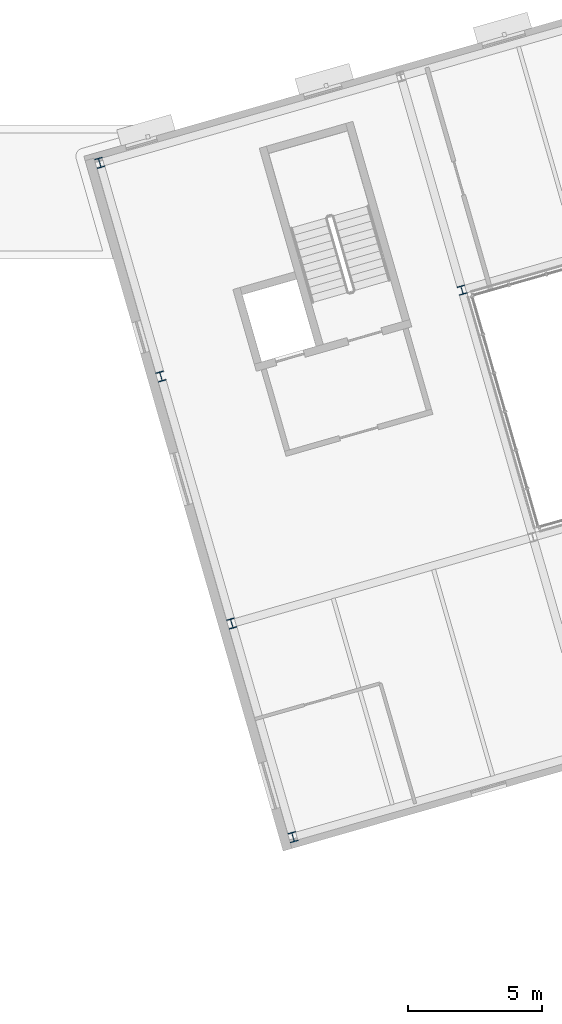
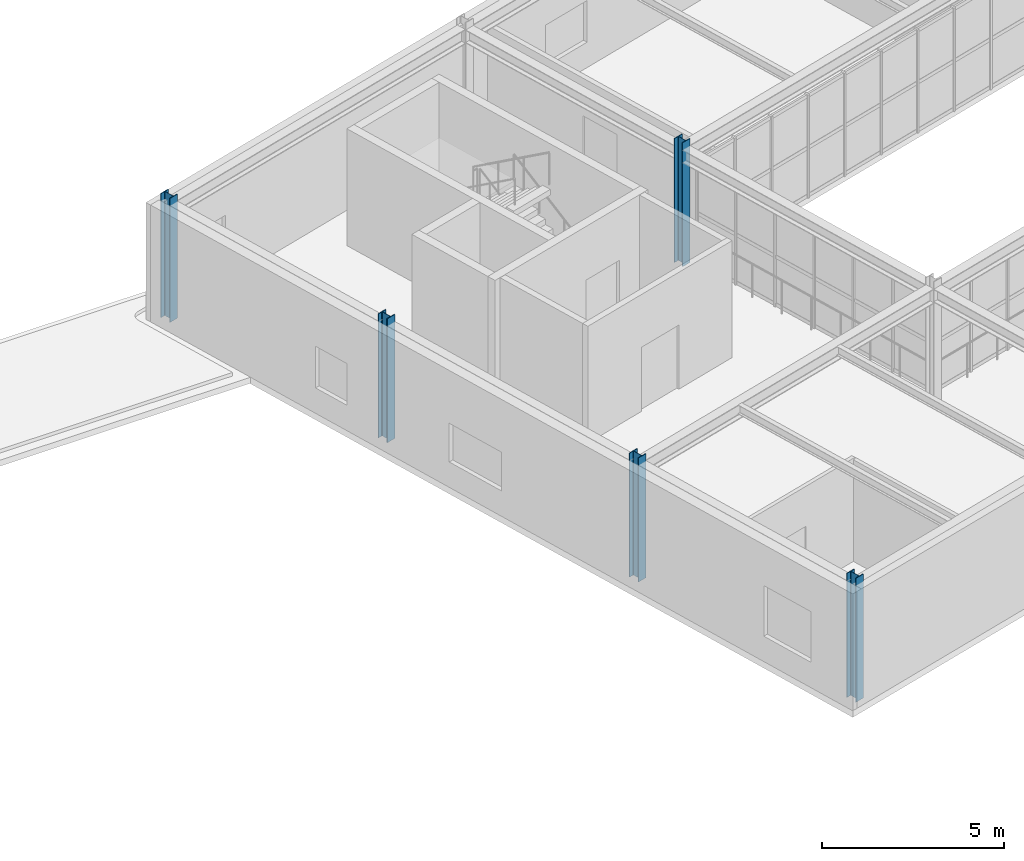
# One storey, part 4 of 59: 5 columns.
"""IFC4 building model written with IfcOpenShell, lengths in metres."""

from ifc_helpers import new_model, si_unit, direction, frame, origin, origin_2d, place, context, subcontext, project, spatial, i_section, extrude, material, material_profile, profile_set, type_object, element, save


model = new_model("IFC4")

# Units and contexts
model_context = context("Model", 3, precision=1e-05, world=origin(), true_north=direction((0.0, 1.0)))
body_context = subcontext(model_context, "Body", "Model", "MODEL_VIEW")
ifc_project = project(units=[si_unit("LENGTHUNIT", "METRE"), si_unit("AREAUNIT", "SQUARE_METRE"), si_unit("VOLUMEUNIT", "CUBIC_METRE"), si_unit("PLANEANGLEUNIT", "RADIAN"), si_unit("MASSUNIT", "GRAM", prefix="KILO")], contexts=[model_context])

# Site, building, storey
site_placement = place(None, origin())
site = spatial("IfcSite", under=ifc_project, at=site_placement, CompositionType="ELEMENT")
building_placement = place(site_placement, origin())
building = spatial("IfcBuilding", under=site, at=building_placement, Name="Varnklinge Art Gallery", CompositionType="ELEMENT")
storey_placement = place(building_placement, frame((0.0, 0.0, 9.52001953125)))
storey = spatial("IfcBuildingStorey", under=building, at=storey_placement, Name="L02", CompositionType="ELEMENT", Elevation=9.52001953125)

# Columns
ifc_material_1 = material(Name="Steel S355", Category="steel")
ifc_material_profile_1 = material_profile(ifc_material_1, i_section(OverallWidth=0.300048828125, OverallDepth=0.320068359375, WebThickness=0.011474609375, FlangeThickness=0.0205078125, FilletRadius=0.027099609375, at=origin_2d()), Name="HEB 320")
ifc_profile_set_1 = profile_set([ifc_material_profile_1], Name="Steel S355")
column_type_1 = type_object("IfcColumnType", Name="COL-09", PredefinedType="COLUMN", material=ifc_profile_set_1)
column_placement = place(storey_placement, frame((131.140380859375, 30.23974609375, 0.0), z_axis=(0.0, 0.0, 1.0), x_axis=(0.961261695938, 0.275637355817, 0.0)))
element("IfcColumn", 1, at=column_placement, inside=storey, type_object=column_type_1, Name="L02 Column V6C-2-3", PredefinedType="COLUMN", context=body_context, shape_type="SweptSolid", body=[
    extrude(i_section(OverallWidth=0.300048828125, OverallDepth=0.320068359375, WebThickness=0.011474609375, FlangeThickness=0.0205078125, FilletRadius=0.027099609375, at=origin_2d()), origin(), (0.0, 0.0, 1.0), 4.159912109375),
])
ifc_material_2 = material(Name="Steel S355", Category="steel")
ifc_material_profile_2 = material_profile(ifc_material_2, i_section(OverallWidth=0.300048828125, OverallDepth=0.360107421875, WebThickness=0.012451171875, FlangeThickness=0.0224609375, FilletRadius=0.027099609375, at=origin_2d()), Name="HEB 360")
ifc_profile_set_2 = profile_set([ifc_material_profile_2], Name="Steel S355")
column_type_2 = type_object("IfcColumnType", Name="COL-E4", PredefinedType="COLUMN", material=ifc_profile_set_2)
for number, where, z_axis, x_axis, name in (
    (2, (124.827392578125, 9.80810546875, 0.0), (0.0, 0.0, 1.0), (0.961261695938, 0.275637355817, 0.0), "L02 Column V6C-1-1"),
    (3, (122.539794921875, 17.78662109375, 0.0), (0.0, 0.0, 1.0), (0.961261695938, 0.275637355817, 0.0), "L02 Column V6C-1-2"),
    (4, (119.8935546875, 27.014892578125, 0.0), (0.0, 0.0, 1.0), (0.961261695938, 0.275637355817, 0.0), "L02 Column V6C-1-3"),
    (5, (117.605712890625, 34.9931640625, 0.0), (0.0, 0.0, 1.0), (0.961261695938, 0.275637355817, 0.0), "L02 Column V6C-1-4"),
):
    element("IfcColumn", number, at=place(storey_placement, frame(where, z_axis=z_axis, x_axis=x_axis)), inside=storey, type_object=column_type_2, Name=name, PredefinedType="COLUMN", context=body_context, shape_type="SweptSolid", body=[
        extrude(i_section(OverallWidth=0.300048828125, OverallDepth=0.360107421875, WebThickness=0.012451171875, FlangeThickness=0.0224609375, FilletRadius=0.027099609375, at=origin_2d()), origin(), (0.0, 0.0, 1.0), 4.159912109375),
    ])

save(model, "model.ifc")
